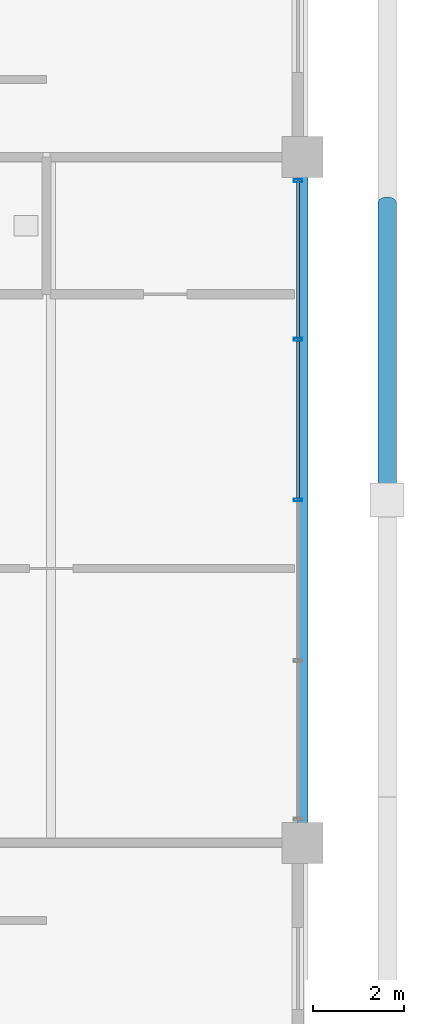
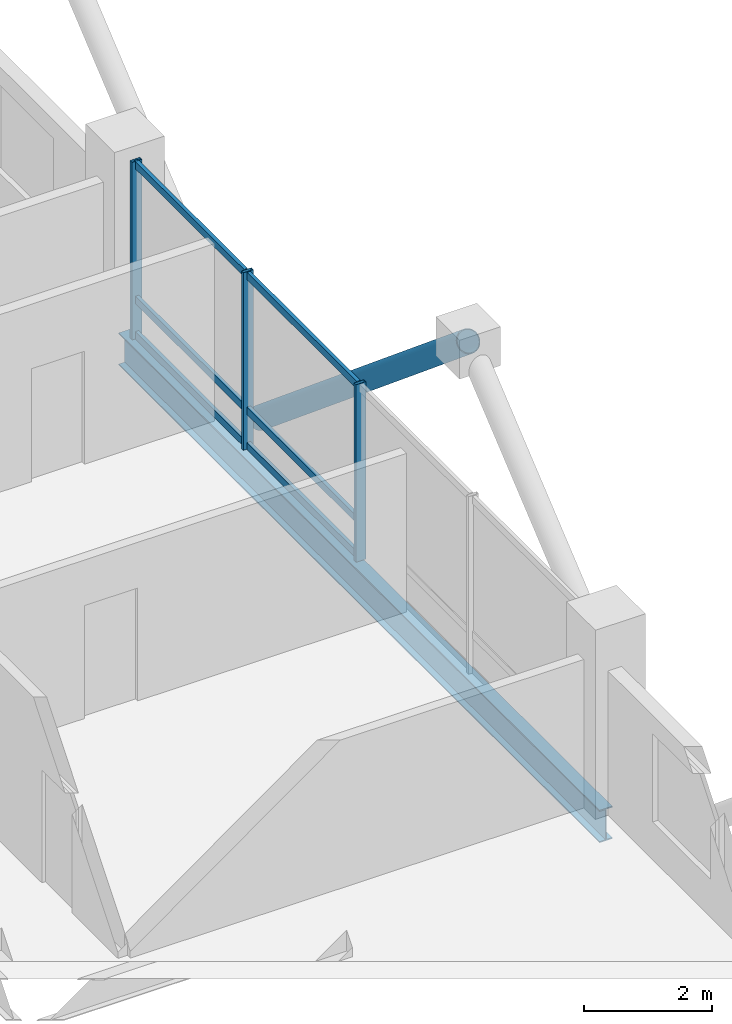
# One storey, part 12 of 22: 10 members, 1 beam, 1 element without a shape of its own.
"""IFC4 building model written with IfcOpenShell, lengths in metres."""

from ifc_helpers import new_model, si_unit, direction, frame, origin, origin_2d, place, context, subcontext, project, spatial, hollow_rectangle, hollow_circle, i_section, extrude, material, layer, layer_set, material_profile, profile_set, type_object, element, aggregate, save


model = new_model("IFC4")

# Units and contexts
model_context = context("Model", 3, precision=1e-05, world=origin(), true_north=direction((0.0, 1.0)))
body_context = subcontext(model_context, "Body", "Model", "MODEL_VIEW")
ifc_project = project(units=[si_unit("LENGTHUNIT", "METRE"), si_unit("AREAUNIT", "SQUARE_METRE"), si_unit("VOLUMEUNIT", "CUBIC_METRE"), si_unit("PLANEANGLEUNIT", "RADIAN"), si_unit("MASSUNIT", "GRAM", prefix="KILO")], contexts=[model_context])

# Site, building, storey
site_placement = place(None, origin())
site = spatial("IfcSite", under=ifc_project, at=site_placement, CompositionType="ELEMENT")
building_placement = place(site_placement, origin())
building = spatial("IfcBuilding", under=site, at=building_placement, Name="Barlavira Tower and Art Museum", CompositionType="ELEMENT")
storey_placement = place(building_placement, frame((0.0, 0.0, 269.10009765625)))
storey = spatial("IfcBuildingStorey", under=building, at=storey_placement, Name="L70", CompositionType="ELEMENT", Elevation=269.10009765625)

# Curtain wall, members
ifc_material_1 = material(Name="Low-iron coastal laminated glass", Category="glass")
ifc_layer = layer(ifc_material_1, 0.2099609375, Name="Low-iron coastal laminated glass")
ifc_layer_set = layer_set([ifc_layer], Name="Low-iron coastal laminated glass")
curtain_wall_type = type_object("IfcCurtainWallType", Name="Pale-Metal Unitised Curtain Wall Zone 4", PredefinedType="NOTDEFINED", material=ifc_layer_set)
curtain_wall_placement = place(storey_placement, origin())
curtain_wall = element("IfcCurtainWall", 1, at=curtain_wall_placement, inside=storey, type_object=curtain_wall_type, Name="L70 Curtain Wall CW4-L70-E-B3", PredefinedType="NOTDEFINED")
ifc_material_2 = material(Name="Pale anodised aluminium", Category="aluminium")
ifc_material_profile_1 = material_profile(ifc_material_2, hollow_rectangle(XDim=0.06494140625, YDim=0.179931640625, WallThickness=0.00390625, at=origin_2d()), Name="ALU-MULL 65x180x4")
ifc_profile_set_1 = profile_set([ifc_material_profile_1], Name="Pale anodised aluminium")
member_type_1 = type_object("IfcMemberType", Name="Curtain Wall Pale-Metal Mullion 65x180", PredefinedType="MULLION", material=ifc_profile_set_1)
member_1_placement = place(storey_placement, frame((16.89990234375, 0.0, 0.0), z_axis=(0.0, 0.0, 1.0), x_axis=(0.0, 1.0, 0.0)))
member_1 = element("IfcMember", 2, at=member_1_placement, type_object=member_type_1, Name="CW4-L70-E-B3 Mullion 2", PredefinedType="MULLION", context=body_context, shape_type="SweptSolid", body=[
    extrude(hollow_rectangle(XDim=0.06494140625, YDim=0.179931640625, WallThickness=0.00390625, at=origin_2d()), origin(), (0.0, 0.0, 1.0), 3.3798828125),
])
member_2_placement = place(storey_placement, frame((16.89990234375, 3.514892578125, 0.0), z_axis=(0.0, 0.0, 1.0), x_axis=(0.0, 1.0, 0.0)))
member_2 = element("IfcMember", 3, at=member_2_placement, type_object=member_type_1, Name="CW4-L70-E-B3 Mullion 3", PredefinedType="MULLION", context=body_context, shape_type="SweptSolid", body=[
    extrude(hollow_rectangle(XDim=0.06494140625, YDim=0.179931640625, WallThickness=0.00390625, at=origin_2d()), origin(), (0.0, 0.0, 1.0), 3.3798828125),
])
member_3_placement = place(storey_placement, frame((16.89990234375, 6.985107421875, 0.0), z_axis=(0.0, 0.0, 1.0), x_axis=(0.0, 1.0, 0.0)))
member_3 = element("IfcMember", 4, at=member_3_placement, type_object=member_type_1, Name="CW4-L70-E-B3 Mullion 4", PredefinedType="MULLION", context=body_context, shape_type="SweptSolid", body=[
    extrude(hollow_rectangle(XDim=0.06494140625, YDim=0.179931640625, WallThickness=0.00390625, at=origin_2d()), origin(), (0.0, 0.0, 1.0), 3.3798828125),
])
ifc_material_profile_2 = material_profile(ifc_material_2, hollow_rectangle(XDim=0.06494140625, YDim=0.139892578125, WallThickness=0.00390625, at=origin_2d()), Name="ALU-TRAN 65x140x4")
ifc_profile_set_2 = profile_set([ifc_material_profile_2], Name="Pale anodised aluminium")
member_type_2 = type_object("IfcMemberType", Name="Curtain Wall Pale-Metal Transom 65x140", PredefinedType="USERDEFINED", material=ifc_profile_set_2)
member_4_placement = place(storey_placement, frame((16.89990234375, 0.044921875, 0.06982421875), z_axis=(0.0, 1.0, 0.0), x_axis=(-1.0, 0.0, 0.0)))
member_4 = element("IfcMember", 5, at=member_4_placement, type_object=member_type_2, Name="CW4-L70-E-B3 Transom 2.1", ObjectType="TRANSOM", PredefinedType="USERDEFINED", context=body_context, shape_type="SweptSolid", body=[
    extrude(hollow_rectangle(XDim=0.06494140625, YDim=0.139892578125, WallThickness=0.00390625, at=origin_2d()), origin(), (0.0, 0.0, 1.0), 3.425048828125),
])
member_5_placement = place(storey_placement, frame((16.89990234375, 0.044921875, 0.743896484375), z_axis=(0.0, 1.0, 0.0), x_axis=(-1.0, 0.0, 0.0)))
member_5 = element("IfcMember", 6, at=member_5_placement, type_object=member_type_2, Name="CW4-L70-E-B3 Transom 2.2", ObjectType="TRANSOM", PredefinedType="USERDEFINED", context=body_context, shape_type="SweptSolid", body=[
    extrude(hollow_rectangle(XDim=0.06494140625, YDim=0.139892578125, WallThickness=0.00390625, at=origin_2d()), origin(), (0.0, 0.0, 1.0), 3.425048828125),
])
member_6_placement = place(storey_placement, frame((16.89990234375, 0.044921875, 3.309814453125), z_axis=(0.0, 1.0, 0.0), x_axis=(-1.0, 0.0, 0.0)))
member_6 = element("IfcMember", 7, at=member_6_placement, type_object=member_type_2, Name="CW4-L70-E-B3 Transom 2.3", ObjectType="TRANSOM", PredefinedType="USERDEFINED", context=body_context, shape_type="SweptSolid", body=[
    extrude(hollow_rectangle(XDim=0.06494140625, YDim=0.139892578125, WallThickness=0.00390625, at=origin_2d()), origin(), (0.0, 0.0, 1.0), 3.425048828125),
])
member_7_placement = place(storey_placement, frame((16.89990234375, 3.56005859375, 0.06982421875), z_axis=(0.0, 1.0, 0.0), x_axis=(-1.0, 0.0, 0.0)))
member_7 = element("IfcMember", 8, at=member_7_placement, type_object=member_type_2, Name="CW4-L70-E-B3 Transom 3.1", ObjectType="TRANSOM", PredefinedType="USERDEFINED", context=body_context, shape_type="SweptSolid", body=[
    extrude(hollow_rectangle(XDim=0.06494140625, YDim=0.139892578125, WallThickness=0.00390625, at=origin_2d()), origin(), (0.0, 0.0, 1.0), 3.425048828125),
])
member_8_placement = place(storey_placement, frame((16.89990234375, 3.56005859375, 0.743896484375), z_axis=(0.0, 1.0, 0.0), x_axis=(-1.0, 0.0, 0.0)))
member_8 = element("IfcMember", 9, at=member_8_placement, type_object=member_type_2, Name="CW4-L70-E-B3 Transom 3.2", ObjectType="TRANSOM", PredefinedType="USERDEFINED", context=body_context, shape_type="SweptSolid", body=[
    extrude(hollow_rectangle(XDim=0.06494140625, YDim=0.139892578125, WallThickness=0.00390625, at=origin_2d()), origin(), (0.0, 0.0, 1.0), 3.425048828125),
])
member_9_placement = place(storey_placement, frame((16.89990234375, 3.56005859375, 3.309814453125), z_axis=(0.0, 1.0, 0.0), x_axis=(-1.0, 0.0, 0.0)))
member_9 = element("IfcMember", 10, at=member_9_placement, type_object=member_type_2, Name="CW4-L70-E-B3 Transom 3.3", ObjectType="TRANSOM", PredefinedType="USERDEFINED", context=body_context, shape_type="SweptSolid", body=[
    extrude(hollow_rectangle(XDim=0.06494140625, YDim=0.139892578125, WallThickness=0.00390625, at=origin_2d()), origin(), (0.0, 0.0, 1.0), 3.425048828125),
])
aggregate(curtain_wall, [member_1, member_2, member_3, member_4, member_5, member_6, member_7, member_8, member_9])

# Member
ifc_material_3 = material(Name="Steel S355", Category="steel")
ifc_material_profile_3 = material_profile(ifc_material_3, hollow_circle(Radius=0.203125, WallThickness=0.01611328125, at=origin_2d()), Name="CHS 406.4x16.0")
ifc_profile_set_3 = profile_set([ifc_material_profile_3], Name="Steel S355")
member_type_3 = type_object("IfcMemberType", Name="Pale-Metal Exoskeleton Diagrid Tube CHS 406x16 Steel S355", PredefinedType="BRACE", material=ifc_profile_set_3)
member_10_placement = place(storey_placement, frame((18.85009765625, 6.5, -1.920166015625), z_axis=(0.0, -0.76918185268, 0.639029950399), x_axis=(1.0, 0.0, 0.0)))
element("IfcMember", 11, at=member_10_placement, inside=storey, type_object=member_type_3, Name="L70 Exoskeleton Diagrid Tube E", PredefinedType="BRACE", context=body_context, shape_type="SweptSolid", body=[
    extrude(hollow_circle(Radius=0.203125, WallThickness=0.01611328125, at=origin_2d()), origin(), (0.0, 0.0, 1.0), 8.450439453125),
])

# Beam
ifc_material_profile_4 = material_profile(ifc_material_3, i_section(OverallWidth=0.22998046875, OverallDepth=0.616943359375, WebThickness=0.01318359375, FlangeThickness=0.022216796875, at=origin_2d()), Name="W610x140.0")
ifc_profile_set_4 = profile_set([ifc_material_profile_4], Name="Steel S355")
beam_type = type_object("IfcBeamType", Name="Upper Shaft Spandrel Edge Beam W610x140 Steel S355", PredefinedType="SPANDREL", material=ifc_profile_set_4)
beam_placement = place(storey_placement, frame((17.0, -7.5, -0.528564453125), z_axis=(0.0, 1.0, 0.0), x_axis=(-1.0, 0.0, 0.0)))
element("IfcBeam", 12, at=beam_placement, inside=storey, type_object=beam_type, Name="L70 Spandrel 6", PredefinedType="SPANDREL", context=body_context, shape_type="SweptSolid", body=[
    extrude(i_section(OverallWidth=0.22998046875, OverallDepth=0.616943359375, WebThickness=0.01318359375, FlangeThickness=0.022216796875, at=origin_2d()), origin(), (0.0, 0.0, 1.0), 15.0),
])

save(model, "model.ifc")
